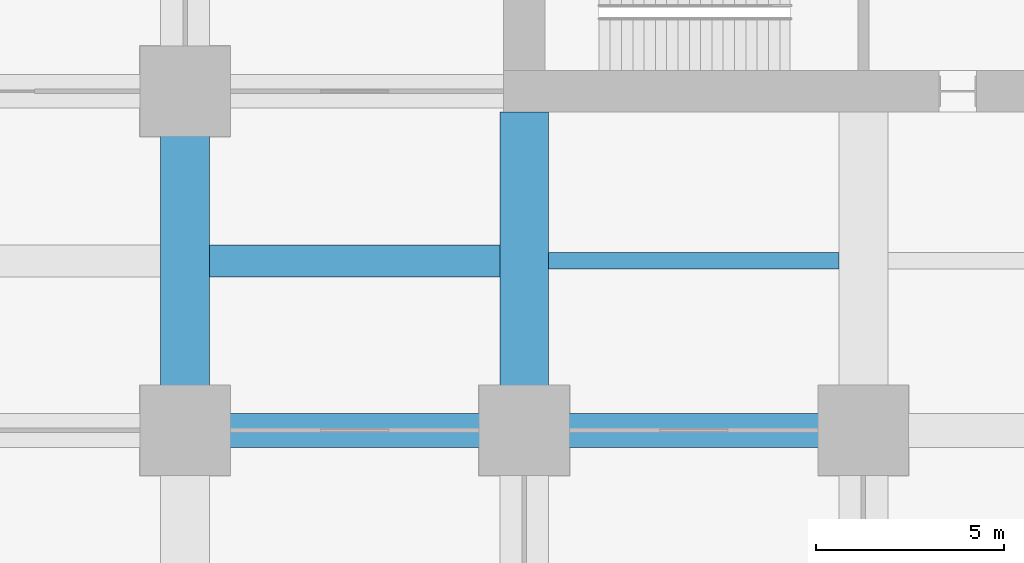
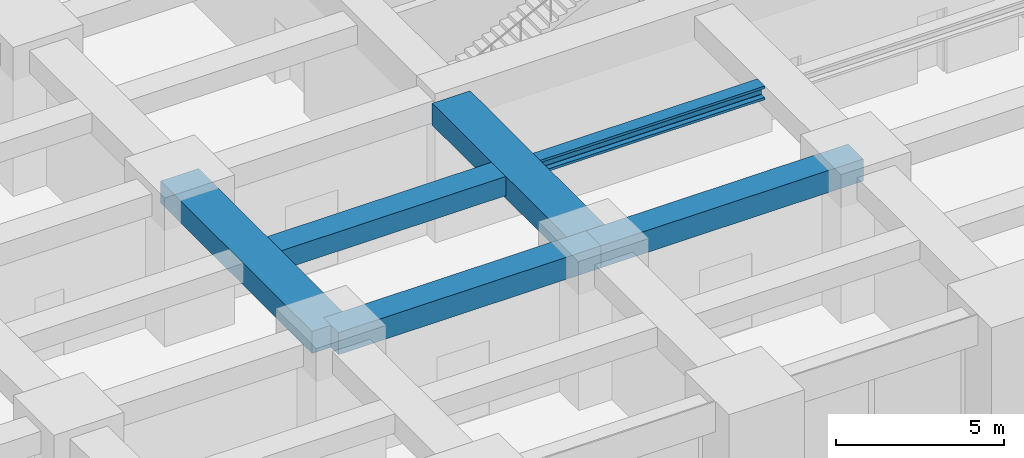
# One storey, part 8 of 56: 6 beams.
"""IFC4 building model written with IfcOpenShell, lengths in metres."""

from ifc_helpers import new_model, si_unit, direction, frame, origin, origin_2d, place, context, subcontext, project, spatial, rectangle, i_section, extrude, material, material_profile, profile_set, type_object, element, save


model = new_model("IFC4")

# Units and contexts
model_context = context("Model", 3, precision=1e-05, world=origin(), true_north=direction((0.0, 1.0)))
body_context = subcontext(model_context, "Body", "Model", "MODEL_VIEW")
ifc_project = project(units=[si_unit("LENGTHUNIT", "METRE"), si_unit("AREAUNIT", "SQUARE_METRE"), si_unit("VOLUMEUNIT", "CUBIC_METRE"), si_unit("PLANEANGLEUNIT", "RADIAN"), si_unit("MASSUNIT", "GRAM", prefix="KILO")], contexts=[model_context])

# Site, building, storey
site_placement = place(None, origin())
site = spatial("IfcSite", under=ifc_project, at=site_placement, CompositionType="ELEMENT")
building_placement = place(site_placement, origin())
building = spatial("IfcBuilding", under=site, at=building_placement, Name="Zorevar Civic Tower", CompositionType="ELEMENT")
storey_placement = place(building_placement, origin())
storey = spatial("IfcBuildingStorey", under=building, at=storey_placement, Name="L00", CompositionType="ELEMENT", Elevation=0.0)

# Beams
ifc_material_1 = material(Name="Concrete C50/60", Category="concrete")
ifc_material_profile_1 = material_profile(ifc_material_1, rectangle(XDim=1.300048828125, YDim=0.800048828125, at=origin_2d()), Name="RC 1300x800")
ifc_profile_set_1 = profile_set([ifc_material_profile_1], Name="Concrete C50/60")
beam_type_1 = type_object("IfcBeamType", Name="Beam RC 1300x800", PredefinedType="BEAM", material=ifc_profile_set_1)
beam_1_placement = place(storey_placement, frame((9.0, 9.0, 4.699951171875), z_axis=(0.0, 1.0, 0.0), x_axis=(-1.0, 0.0, 0.0)))
element("IfcBeam", 1, at=beam_1_placement, inside=storey, type_object=beam_type_1, Name="Girder L01", PredefinedType="BEAM", context=body_context, shape_type="SweptSolid", body=[
    extrude(rectangle(XDim=1.300048828125, YDim=0.800048828125, at=origin_2d()), origin(), (0.0, 0.0, 1.0), 9.0),
])
beam_2_placement = place(storey_placement, frame((18.0, 9.0, 4.699951171875), z_axis=(0.0, 1.0, 0.0), x_axis=(-1.0, 0.0, 0.0)))
element("IfcBeam", 2, at=beam_2_placement, inside=storey, type_object=beam_type_1, Name="Girder L01", PredefinedType="BEAM", context=body_context, shape_type="SweptSolid", body=[
    extrude(rectangle(XDim=1.300048828125, YDim=0.800048828125, at=origin_2d()), origin(), (0.0, 0.0, 1.0), 8.449951171875),
])
ifc_material_2 = material(Name="Concrete C50/60", Category="concrete")
ifc_material_profile_2 = material_profile(ifc_material_2, rectangle(XDim=0.85009765625, YDim=0.699951171875, at=origin_2d()), Name="RC 850x700")
ifc_profile_set_2 = profile_set([ifc_material_profile_2], Name="Concrete C50/60")
beam_type_2 = type_object("IfcBeamType", Name="Beam RC 850x700", PredefinedType="BEAM", material=ifc_profile_set_2)
beam_3_placement = place(storey_placement, frame((9.64990234375, 13.5, 4.75), z_axis=(1.0, 0.0, 0.0), x_axis=(0.0, 1.0, 0.0)))
element("IfcBeam", 3, at=beam_3_placement, inside=storey, type_object=beam_type_2, Name="Secondary beam L01", PredefinedType="BEAM", context=body_context, shape_type="SweptSolid", body=[
    extrude(rectangle(XDim=0.85009765625, YDim=0.699951171875, at=origin_2d()), origin(), (0.0, 0.0, 1.0), 7.7001953125),
])
ifc_material_3 = material(Name="Concrete C50/60", Category="concrete")
ifc_material_profile_3 = material_profile(ifc_material_3, rectangle(XDim=0.89990234375, YDim=0.800048828125, at=origin_2d()), Name="RC 900x800")
ifc_profile_set_3 = profile_set([ifc_material_profile_3], Name="Concrete C50/60")
beam_type_3 = type_object("IfcBeamType", Name="Beam RC 900x800", PredefinedType="BEAM", material=ifc_profile_set_3)
for number, where, z_axis, x_axis, name in (
    (4, (9.0, 9.0, 4.699951171875), (1.0, 0.0, 0.0), (0.0, 1.0, 0.0), "Girder L01"),
    (5, (18.0, 9.0, 4.699951171875), (1.0, 0.0, 0.0), (0.0, 1.0, 0.0), "Girder L01"),
):
    element("IfcBeam", number, at=place(storey_placement, frame(where, z_axis=z_axis, x_axis=x_axis)), inside=storey, type_object=beam_type_3, Name=name, PredefinedType="BEAM", context=body_context, shape_type="SweptSolid", body=[
        extrude(rectangle(XDim=0.89990234375, YDim=0.800048828125, at=origin_2d()), origin(), (0.0, 0.0, 1.0), 9.0),
    ])
ifc_material_4 = material(Name="Steel S460M (HISTAR 460)", Category="steel")
ifc_material_profile_4 = material_profile(ifc_material_4, i_section(OverallWidth=0.431884765625, OverallDepth=0.498046875, WebThickness=0.0556640625, FlangeThickness=0.0888671875, FilletRadius=0.014892578125, at=origin_2d()), Name="HD 400x744")
ifc_profile_set_4 = profile_set([ifc_material_profile_4], Name="Steel S460M (HISTAR 460)")
beam_type_4 = type_object("IfcBeamType", Name="Core bay beam HD 400x744", PredefinedType="BEAM", material=ifc_profile_set_4)
beam_4_placement = place(storey_placement, frame((18.64990234375, 13.5, 4.85107421875), z_axis=(1.0, 0.0, 0.0), x_axis=(0.0, 1.0, 0.0)))
element("IfcBeam", 6, at=beam_4_placement, inside=storey, type_object=beam_type_4, Name="Secondary beam L01", PredefinedType="BEAM", context=body_context, shape_type="SweptSolid", body=[
    extrude(i_section(OverallWidth=0.431884765625, OverallDepth=0.498046875, WebThickness=0.0556640625, FlangeThickness=0.0888671875, FilletRadius=0.014892578125, at=origin_2d()), origin(), (0.0, 0.0, 1.0), 7.7001953125),
])

save(model, "model.ifc")
